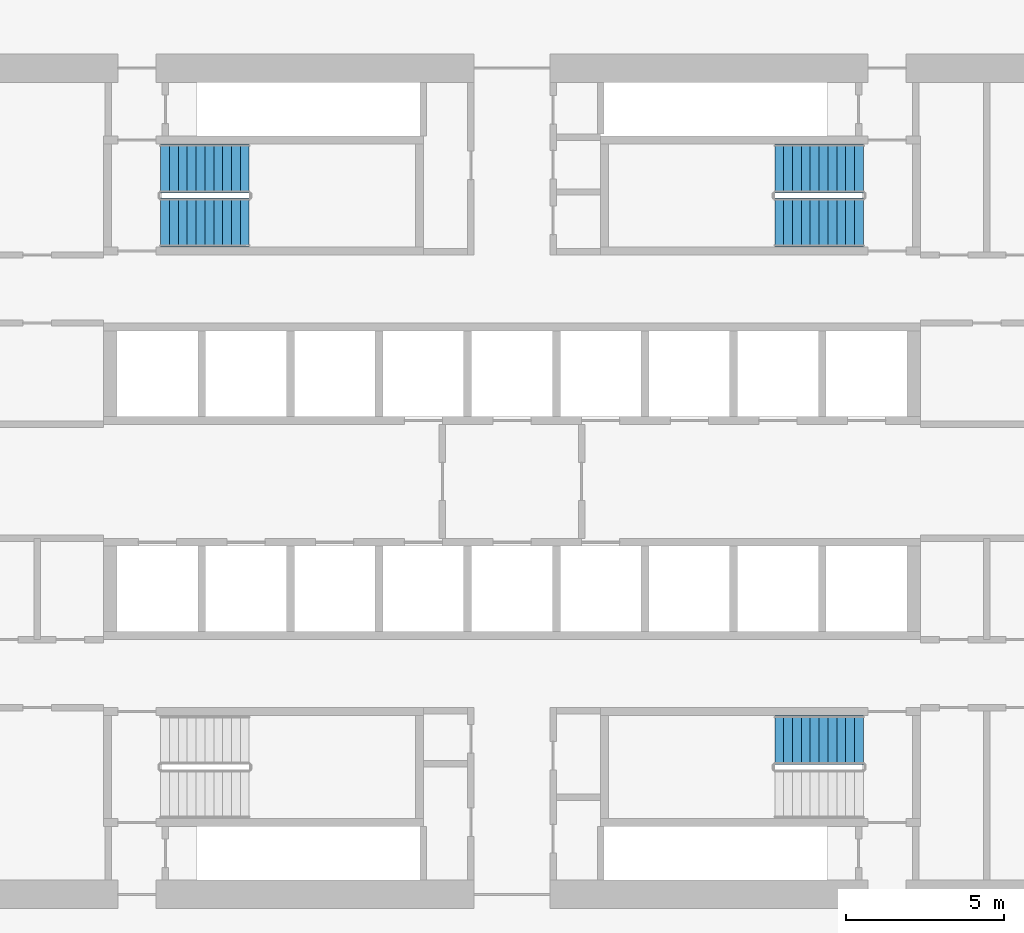
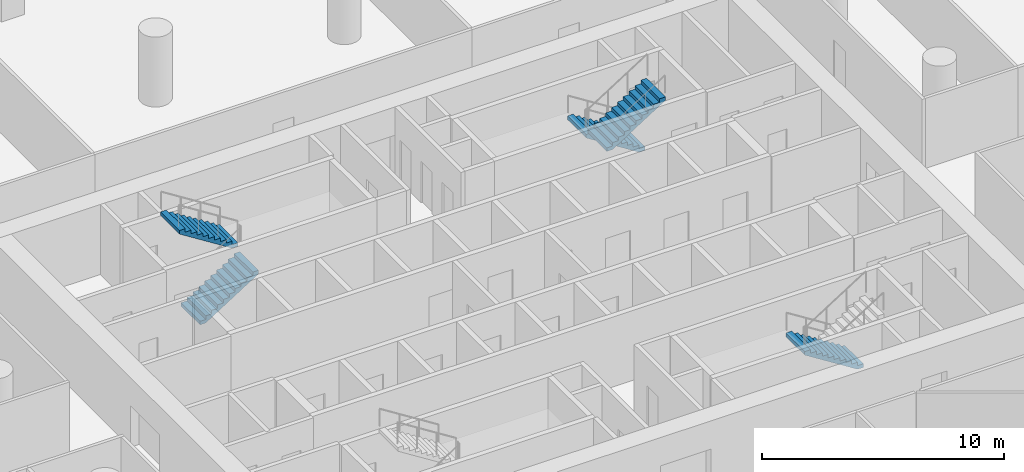
# One storey, part 9 of 10: 5 stair flights, 3 elements without a shape of their own.
"""IFC4 building model written with IfcOpenShell, lengths in metres."""

from ifc_helpers import new_model, si_unit, direction, frame, origin, place, context, subcontext, project, spatial, polyline, outline, extrude, material, type_object, element, aggregate, save


model = new_model("IFC4")

# Units and contexts
model_context = context("Model", 3, precision=1e-05, world=origin(), true_north=direction((0.0, 1.0)))
body_context = subcontext(model_context, "Body", "Model", "MODEL_VIEW")
ifc_project = project(units=[si_unit("LENGTHUNIT", "METRE"), si_unit("AREAUNIT", "SQUARE_METRE"), si_unit("VOLUMEUNIT", "CUBIC_METRE"), si_unit("PLANEANGLEUNIT", "RADIAN"), si_unit("MASSUNIT", "GRAM", prefix="KILO")], contexts=[model_context])

# Site, building, storey
site_placement = place(None, origin())
site = spatial("IfcSite", under=ifc_project, at=site_placement, CompositionType="ELEMENT")
building_placement = place(site_placement, origin())
building = spatial("IfcBuilding", under=site, at=building_placement, Name="Dhurran Vertical Campus", CompositionType="ELEMENT")
storey_placement = place(building_placement, frame((0.0, 0.0, 65.10009765625)))
storey = spatial("IfcBuildingStorey", under=building, at=storey_placement, Name="L15", CompositionType="ELEMENT", Elevation=65.10009765625)

# Stair, stair flights
ifc_material_1 = material(Name="Concrete C40/50", Category="concrete")
stair_type = type_object("IfcStairType", Name="co-ST-CORE", PredefinedType="HALF_TURN_STAIR", material=ifc_material_1)
stair_1_placement = place(storey_placement, origin())
stair_1 = element("IfcStair", 1, at=stair_1_placement, inside=storey, type_object=stair_type, Name="L15 Protected exit stair ST1", PredefinedType="HALF_TURN_STAIR")
ifc_material_2 = material(Name="Concrete C40/50", Category="concrete")
stair_flight_type = type_object("IfcStairFlightType", Name="co-SFL-RC", PredefinedType="STRAIGHT", material=ifc_material_2)
stair_flight_1_placement = place(storey_placement, frame((-11.10009765625, 8.175048828125, 0.0), z_axis=(0.0, 0.0, 1.0), x_axis=(1.0, 0.0, 0.0)))
stair_flight_1 = element("IfcStairFlight", 2, at=stair_flight_1_placement, type_object=stair_flight_type, Name="ST1 flight 1", NumberOfRisers=11, NumberOfTreads=10, PredefinedType="STRAIGHT", RiserHeight=0.177272727, TreadLength=0.28, context=body_context, shape_type="SweptSolid", body=[
    extrude(outline(polyline([(0.0, 0.0), (0.0, 0.17724609375), (0.280029296875, 0.17724609375), (0.280029296875, 0.3544921875), (0.56005859375, 0.3544921875), (0.56005859375, 0.53173828125), (0.840087890625, 0.53173828125), (0.840087890625, 0.708984375), (1.1201171875, 0.708984375), (1.1201171875, 0.886474609375), (1.39990234375, 0.886474609375), (1.39990234375, 1.063720703125), (1.679931640625, 1.063720703125), (1.679931640625, 1.240966796875), (1.9599609375, 1.240966796875), (1.9599609375, 1.418212890625), (2.239990234375, 1.418212890625), (2.239990234375, 1.595458984375), (2.52001953125, 1.595458984375), (2.52001953125, 1.772705078125), (2.800048828125, 1.772705078125), (2.800048828125, 1.949951171875), (2.800048828125, 1.59521484375), (0.2802734375, 0.0), (0.0, 0.0)])), frame((0.0, 0.77490234375, 0.0), z_axis=(0.0, -1.0, 0.0), x_axis=(1.0, 0.0, 0.0)), (0.0, 0.0, 1.0), 1.550048828125),
])
stair_flight_2_placement = place(storey_placement, frame((-8.300048828125, 9.875, 1.949951171875), z_axis=(0.0, 0.0, 1.0), x_axis=(-1.0, 0.0, 0.0)))
stair_flight_2 = element("IfcStairFlight", 3, at=stair_flight_2_placement, type_object=stair_flight_type, Name="ST1 flight 2", NumberOfRisers=11, NumberOfTreads=10, PredefinedType="STRAIGHT", RiserHeight=0.177272727, TreadLength=0.28, context=body_context, shape_type="SweptSolid", body=[
    extrude(outline(polyline([(0.0, 0.0), (0.0, 0.17724609375), (0.280029296875, 0.17724609375), (0.280029296875, 0.3544921875), (0.56005859375, 0.3544921875), (0.56005859375, 0.53173828125), (0.840087890625, 0.53173828125), (0.840087890625, 0.708984375), (1.1201171875, 0.708984375), (1.1201171875, 0.886474609375), (1.39990234375, 0.886474609375), (1.39990234375, 1.063720703125), (1.679931640625, 1.063720703125), (1.679931640625, 1.240966796875), (1.9599609375, 1.240966796875), (1.9599609375, 1.418212890625), (2.239990234375, 1.418212890625), (2.239990234375, 1.595458984375), (2.52001953125, 1.595458984375), (2.52001953125, 1.772705078125), (2.800048828125, 1.772705078125), (2.800048828125, 1.949951171875), (2.800048828125, 1.59521484375), (0.2802734375, 0.0), (0.0, 0.0)])), frame((0.0, 0.77490234375, 0.0), z_axis=(0.0, -1.0, 0.0), x_axis=(1.0, 0.0, 0.0)), (0.0, 0.0, 1.0), 1.550048828125),
])
aggregate(stair_1, [stair_flight_1, stair_flight_2])

stair_2_placement = place(storey_placement, origin())
stair_2 = element("IfcStair", 4, at=stair_2_placement, inside=storey, type_object=stair_type, Name="L15 Protected exit stair ST2", PredefinedType="HALF_TURN_STAIR")
stair_flight_3_placement = place(storey_placement, frame((11.10009765625, 9.875, 0.0), z_axis=(0.0, 0.0, 1.0), x_axis=(-1.0, 0.0, 0.0)))
stair_flight_3 = element("IfcStairFlight", 5, at=stair_flight_3_placement, type_object=stair_flight_type, Name="ST2 flight 1", NumberOfRisers=11, NumberOfTreads=10, PredefinedType="STRAIGHT", RiserHeight=0.177272727, TreadLength=0.28, context=body_context, shape_type="SweptSolid", body=[
    extrude(outline(polyline([(0.0, 0.0), (0.0, 0.17724609375), (0.280029296875, 0.17724609375), (0.280029296875, 0.3544921875), (0.56005859375, 0.3544921875), (0.56005859375, 0.53173828125), (0.840087890625, 0.53173828125), (0.840087890625, 0.708984375), (1.1201171875, 0.708984375), (1.1201171875, 0.886474609375), (1.39990234375, 0.886474609375), (1.39990234375, 1.063720703125), (1.679931640625, 1.063720703125), (1.679931640625, 1.240966796875), (1.9599609375, 1.240966796875), (1.9599609375, 1.418212890625), (2.239990234375, 1.418212890625), (2.239990234375, 1.595458984375), (2.52001953125, 1.595458984375), (2.52001953125, 1.772705078125), (2.800048828125, 1.772705078125), (2.800048828125, 1.949951171875), (2.800048828125, 1.59521484375), (0.2802734375, 0.0), (0.0, 0.0)])), frame((0.0, 0.77490234375, 0.0), z_axis=(0.0, -1.0, 0.0), x_axis=(1.0, 0.0, 0.0)), (0.0, 0.0, 1.0), 1.550048828125),
])
stair_flight_4_placement = place(storey_placement, frame((8.300048828125, 8.175048828125, 1.949951171875), z_axis=(0.0, 0.0, 1.0), x_axis=(1.0, 0.0, 0.0)))
stair_flight_4 = element("IfcStairFlight", 6, at=stair_flight_4_placement, type_object=stair_flight_type, Name="ST2 flight 2", NumberOfRisers=11, NumberOfTreads=10, PredefinedType="STRAIGHT", RiserHeight=0.177272727, TreadLength=0.28, context=body_context, shape_type="SweptSolid", body=[
    extrude(outline(polyline([(0.0, 0.0), (0.0, 0.17724609375), (0.280029296875, 0.17724609375), (0.280029296875, 0.3544921875), (0.56005859375, 0.3544921875), (0.56005859375, 0.53173828125), (0.840087890625, 0.53173828125), (0.840087890625, 0.708984375), (1.1201171875, 0.708984375), (1.1201171875, 0.886474609375), (1.39990234375, 0.886474609375), (1.39990234375, 1.063720703125), (1.679931640625, 1.063720703125), (1.679931640625, 1.240966796875), (1.9599609375, 1.240966796875), (1.9599609375, 1.418212890625), (2.239990234375, 1.418212890625), (2.239990234375, 1.595458984375), (2.52001953125, 1.595458984375), (2.52001953125, 1.772705078125), (2.800048828125, 1.772705078125), (2.800048828125, 1.949951171875), (2.800048828125, 1.59521484375), (0.2802734375, 0.0), (0.0, 0.0)])), frame((0.0, 0.77490234375, 0.0), z_axis=(0.0, -1.0, 0.0), x_axis=(1.0, 0.0, 0.0)), (0.0, 0.0, 1.0), 1.550048828125),
])
aggregate(stair_2, [stair_flight_3, stair_flight_4])

# Stair, stair flight
stair_3_placement = place(storey_placement, origin())
stair_3 = element("IfcStair", 7, at=stair_3_placement, inside=storey, type_object=stair_type, Name="L15 Protected exit stair ST4", PredefinedType="HALF_TURN_STAIR")
stair_flight_5_placement = place(storey_placement, frame((11.10009765625, -8.175048828125, 0.0), z_axis=(0.0, 0.0, 1.0), x_axis=(-1.0, 0.0, 0.0)))
stair_flight_5 = element("IfcStairFlight", 8, at=stair_flight_5_placement, type_object=stair_flight_type, Name="ST4 flight 1", NumberOfRisers=11, NumberOfTreads=10, PredefinedType="STRAIGHT", RiserHeight=0.177272727, TreadLength=0.28, context=body_context, shape_type="SweptSolid", body=[
    extrude(outline(polyline([(0.0, 0.0), (0.0, 0.17724609375), (0.280029296875, 0.17724609375), (0.280029296875, 0.3544921875), (0.56005859375, 0.3544921875), (0.56005859375, 0.53173828125), (0.840087890625, 0.53173828125), (0.840087890625, 0.708984375), (1.1201171875, 0.708984375), (1.1201171875, 0.886474609375), (1.39990234375, 0.886474609375), (1.39990234375, 1.063720703125), (1.679931640625, 1.063720703125), (1.679931640625, 1.240966796875), (1.9599609375, 1.240966796875), (1.9599609375, 1.418212890625), (2.239990234375, 1.418212890625), (2.239990234375, 1.595458984375), (2.52001953125, 1.595458984375), (2.52001953125, 1.772705078125), (2.800048828125, 1.772705078125), (2.800048828125, 1.949951171875), (2.800048828125, 1.59521484375), (0.2802734375, 0.0), (0.0, 0.0)])), frame((0.0, 0.77490234375, 0.0), z_axis=(0.0, -1.0, 0.0), x_axis=(1.0, 0.0, 0.0)), (0.0, 0.0, 1.0), 1.550048828125),
])
aggregate(stair_3, [stair_flight_5])

save(model, "model.ifc")
